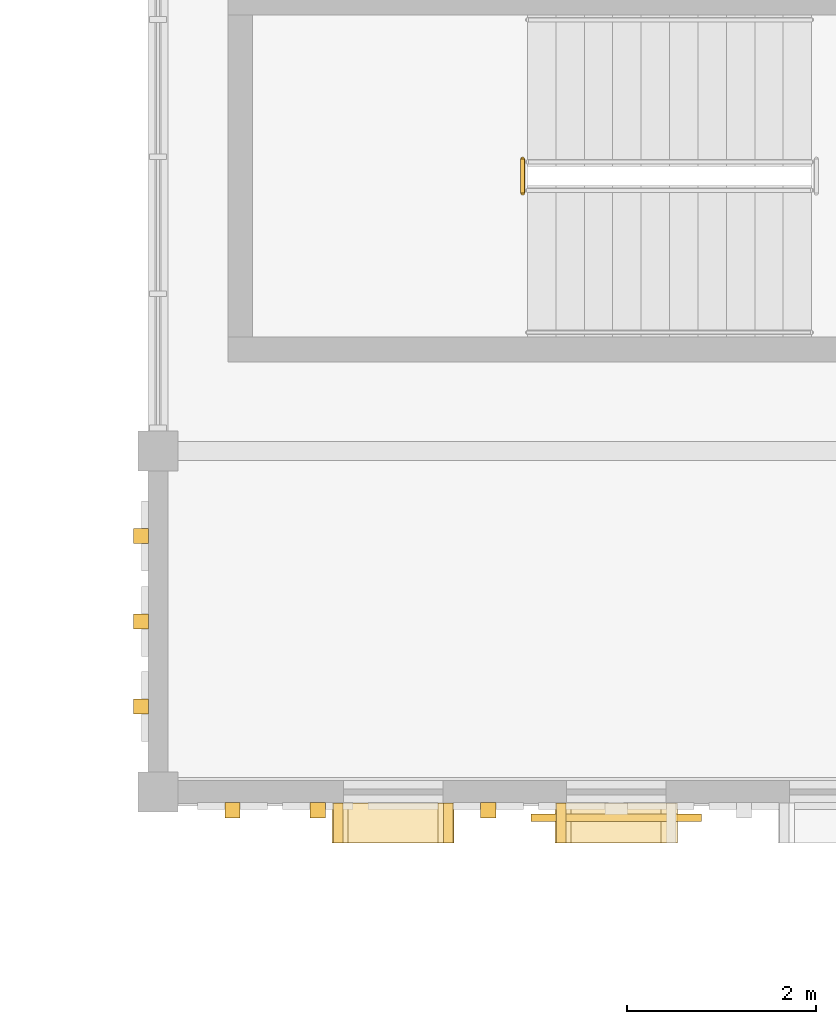
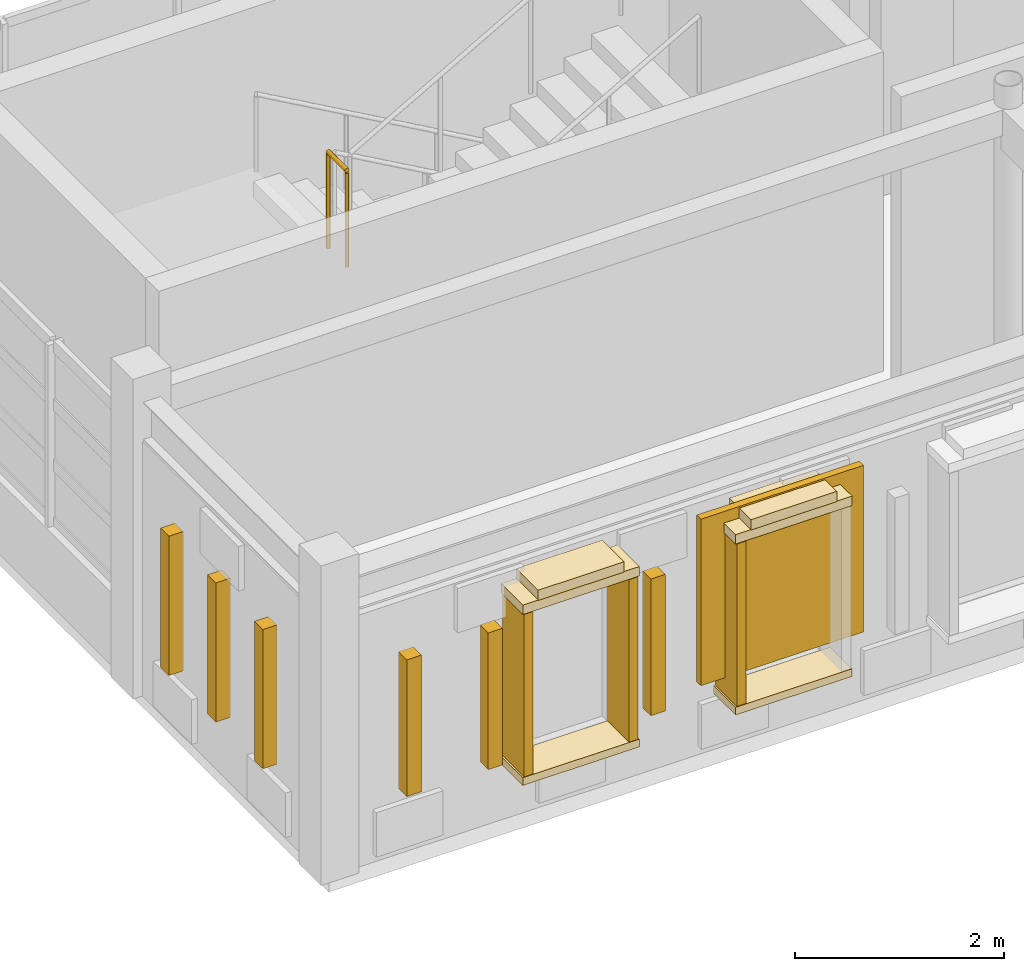
# One storey, part 38 of 46: 15 coverings, 1 railing, 1 shading device.
"""IFC4 building model written with IfcOpenShell, lengths in metres."""

from ifc_helpers import new_model, si_unit, direction, frame, origin, origin_2d, place, context, subcontext, project, spatial, rectangle, circle, extrude, material, layer, layer_set, type_object, element, save


model = new_model("IFC4")

# Units and contexts
model_context = context("Model", 3, precision=1e-05, world=origin(), true_north=direction((0.0, 1.0)))
body_context = subcontext(model_context, "Body", "Model", "MODEL_VIEW")
ifc_project = project(units=[si_unit("LENGTHUNIT", "METRE"), si_unit("AREAUNIT", "SQUARE_METRE"), si_unit("VOLUMEUNIT", "CUBIC_METRE"), si_unit("PLANEANGLEUNIT", "RADIAN"), si_unit("MASSUNIT", "GRAM", prefix="KILO")], contexts=[model_context])

# Site, building, storey
site_placement = place(None, origin())
site = spatial("IfcSite", under=ifc_project, at=site_placement, CompositionType="ELEMENT")
building_placement = place(site_placement, origin())
building = spatial("IfcBuilding", under=site, at=building_placement, Name="Nzembalo Square Collegiate School", CompositionType="ELEMENT")
storey_placement = place(building_placement, frame((0.0, 0.0, 17.340087890625)))
storey = spatial("IfcBuildingStorey", under=building, at=storey_placement, Name="L04", CompositionType="ELEMENT", Elevation=17.340087890625)

# Coverings
ifc_material_1 = material(Name="Glazed ochre ceramic lancet rib")
ifc_layer_1 = layer(ifc_material_1, 0.159912109375, Name="Glazed ochre ceramic lancet rib")
ifc_layer_set_1 = layer_set([ifc_layer_1], Name="Glazed ochre ceramic lancet rib")
covering_type_1 = type_object("IfcCoveringType", Name="CL02", PredefinedType="CLADDING", material=ifc_layer_set_1)
for number, where, z_axis, x_axis, name in (
    (1, (131.586669921875, 79.007568359375, 0.759765625), (0.0, 0.0, 1.0), (1.0, 0.0, 0.0), "Gothic ceramic rib CL02-X0246-0"),
    (2, (132.48681640625, 79.007568359375, 0.759765625), (0.0, 0.0, 1.0), (1.0, 0.0, 0.0), "Gothic ceramic rib CL02-X0246-1"),
    (3, (134.28662109375, 79.007568359375, 0.759765625), (0.0, 0.0, 1.0), (1.0, 0.0, 0.0), "Gothic ceramic rib CL02-X0246-3"),
):
    element("IfcCovering", number, at=place(storey_placement, frame(where, z_axis=z_axis, x_axis=x_axis)), inside=storey, type_object=covering_type_1, Name=name, PredefinedType="CLADDING", context=body_context, shape_type="SweptSolid", body=[
        extrude(rectangle(XDim=0.159912109375, YDim=0.159912109375, at=origin_2d()), origin(), (0.0, 0.0, 1.0), 1.59912109375),
    ])
for number, where, z_axis, x_axis, name in (
    (4, (130.62255859375, 80.10009765625, 0.760009765625), (0.0, 0.0, 1.0), (1.0, 0.0, 0.0), "Gothic ceramic rib CL02-Y0247-0"),
    (5, (130.62255859375, 81.0, 0.760009765625), (0.0, 0.0, 1.0), (1.0, 0.0, 0.0), "Gothic ceramic rib CL02-Y0247-1"),
    (6, (130.62255859375, 81.89990234375, 0.760009765625), (0.0, 0.0, 1.0), (1.0, 0.0, 0.0), "Gothic ceramic rib CL02-Y0247-2"),
):
    element("IfcCovering", number, at=place(storey_placement, frame(where, z_axis=z_axis, x_axis=x_axis)), inside=storey, type_object=covering_type_1, Name=name, PredefinedType="CLADDING", context=body_context, shape_type="SweptSolid", body=[
        extrude(rectangle(XDim=0.159912109375, YDim=0.159912109375, at=origin_2d()), origin(), (0.0, 0.0, 1.0), 1.62890625),
    ])
ifc_material_2 = material(Name="Glazed celadon ceramic window frame")
ifc_layer_2 = layer(ifc_material_2, 0.419921875, Name="Glazed celadon ceramic window frame")
ifc_layer_set_2 = layer_set([ifc_layer_2], Name="Glazed celadon ceramic window frame")
covering_type_2 = type_object("IfcCoveringType", Name="WF01", PredefinedType="CLADDING", material=ifc_layer_set_2)
covering_1_placement = place(storey_placement, frame((133.281982421875, 78.87255859375, 2.65478515625), z_axis=(0.0, 0.0, 1.0), x_axis=(1.0, 0.0, 0.0)))
element("IfcCovering", 7, at=covering_1_placement, inside=storey, type_object=covering_type_2, Name="Deep lancet window hood WF01-0826", PredefinedType="CLADDING", context=body_context, shape_type="SweptSolid", body=[
    extrude(rectangle(XDim=1.2900390625, YDim=0.419921875, at=origin_2d()), origin(), (0.0, 0.0, 1.0), 0.110107421875),
])
covering_2_placement = place(storey_placement, frame((133.281982421875, 78.87255859375, 2.759765625), z_axis=(0.0, 0.0, 1.0), x_axis=(1.0, 0.0, 0.0)))
element("IfcCovering", 8, at=covering_2_placement, inside=storey, type_object=covering_type_2, Name="Pointed lancet gable WF01-0826-1", PredefinedType="CLADDING", context=body_context, shape_type="SweptSolid", body=[
    extrude(rectangle(XDim=0.949951171875, YDim=0.419921875, at=origin_2d()), origin(), (0.0, 0.0, 1.0), 0.1201171875),
])
covering_3_placement = place(storey_placement, frame((133.281982421875, 78.87255859375, 0.65478515625), z_axis=(0.0, 0.0, 1.0), x_axis=(1.0, 0.0, 0.0)))
element("IfcCovering", 9, at=covering_3_placement, inside=storey, type_object=covering_type_2, Name="Deep lancet window sill WF01-0826", PredefinedType="CLADDING", context=body_context, shape_type="SweptSolid", body=[
    extrude(rectangle(XDim=1.2900390625, YDim=0.419921875, at=origin_2d()), origin(), (0.0, 0.0, 1.0), 0.090087890625),
])
for number, where, z_axis, x_axis, name in (
    (10, (132.701904296875, 78.87255859375, 0.75), (0.0, 0.0, 1.0), (1.0, 0.0, 0.0), "Deep lancet window jamb WF01-0826L"),
    (11, (133.86181640625, 78.87255859375, 0.75), (0.0, 0.0, 1.0), (1.0, 0.0, 0.0), "Deep lancet window jamb WF01-0826R"),
):
    element("IfcCovering", number, at=place(storey_placement, frame(where, z_axis=z_axis, x_axis=x_axis)), inside=storey, type_object=covering_type_2, Name=name, PredefinedType="CLADDING", context=body_context, shape_type="SweptSolid", body=[
        extrude(rectangle(XDim=0.10009765625, YDim=0.419921875, at=origin_2d()), origin(), (0.0, 0.0, 1.0), 1.89990234375),
    ])
covering_4_placement = place(storey_placement, frame((135.63671875, 78.87255859375, 2.65478515625), z_axis=(0.0, 0.0, 1.0), x_axis=(1.0, 0.0, 0.0)))
element("IfcCovering", 12, at=covering_4_placement, inside=storey, type_object=covering_type_2, Name="Deep lancet window hood WF01-0827", PredefinedType="CLADDING", context=body_context, shape_type="SweptSolid", body=[
    extrude(rectangle(XDim=1.2900390625, YDim=0.419921875, at=origin_2d()), origin(), (0.0, 0.0, 1.0), 0.110107421875),
])
covering_5_placement = place(storey_placement, frame((135.63671875, 78.87255859375, 2.759765625), z_axis=(0.0, 0.0, 1.0), x_axis=(1.0, 0.0, 0.0)))
element("IfcCovering", 13, at=covering_5_placement, inside=storey, type_object=covering_type_2, Name="Pointed lancet gable WF01-0827-1", PredefinedType="CLADDING", context=body_context, shape_type="SweptSolid", body=[
    extrude(rectangle(XDim=0.949951171875, YDim=0.419921875, at=origin_2d()), origin(), (0.0, 0.0, 1.0), 0.1201171875),
])
covering_6_placement = place(storey_placement, frame((135.63671875, 78.87255859375, 0.65478515625), z_axis=(0.0, 0.0, 1.0), x_axis=(1.0, 0.0, 0.0)))
element("IfcCovering", 14, at=covering_6_placement, inside=storey, type_object=covering_type_2, Name="Deep lancet window sill WF01-0827", PredefinedType="CLADDING", context=body_context, shape_type="SweptSolid", body=[
    extrude(rectangle(XDim=1.2900390625, YDim=0.419921875, at=origin_2d()), origin(), (0.0, 0.0, 1.0), 0.090087890625),
])
covering_7_placement = place(storey_placement, frame((135.056640625, 78.87255859375, 0.75), z_axis=(0.0, 0.0, 1.0), x_axis=(1.0, 0.0, 0.0)))
element("IfcCovering", 15, at=covering_7_placement, inside=storey, type_object=covering_type_2, Name="Deep lancet window jamb WF01-0827L", PredefinedType="CLADDING", context=body_context, shape_type="SweptSolid", body=[
    extrude(rectangle(XDim=0.10009765625, YDim=0.419921875, at=origin_2d()), origin(), (0.0, 0.0, 1.0), 1.89990234375),
])

# Railing
ifc_material_3 = material(Name="Steel S355", Category="steel")
railing_type = type_object("IfcRailingType", Name="GR01", PredefinedType="GUARDRAIL", material=ifc_material_3)
railing_placement = place(storey_placement, frame((134.64990234375, 85.52001953125, 1.864990234375)))
element("IfcRailing", 16, at=railing_placement, inside=storey, type_object=railing_type, Name="Stair guard GR-17-2", PredefinedType="GUARDRAIL", context=body_context, shape_type="SweptSolid", body=[
    extrude(circle(Radius=0.02392578125, at=origin_2d()), frame((0.0, 0.0, 1.1259765625), z_axis=(0.0, 1.0, 0.0), x_axis=(-1.0, 0.0, 0.0)), (0.0, 0.0, 1.0), 0.35986328125),
    extrude(circle(Radius=0.02099609375, at=origin_2d()), origin(), (0.0, 0.0, 1.0), 1.101806640625),
    extrude(circle(Radius=0.02099609375, at=origin_2d()), frame((0.0, 0.35986328125, 0.0)), (0.0, 0.0, 1.0), 1.101806640625),
])

# Shading device
ifc_material_4 = material(Name="Glazed celadon ceramic lancet screen")
ifc_layer_3 = layer(ifc_material_4, 0.080078125, Name="Glazed celadon ceramic lancet screen")
ifc_layer_set_3 = layer_set([ifc_layer_3], Name="Glazed celadon ceramic lancet screen")
shading_device_type = type_object("IfcShadingDeviceType", Name="SC02", PredefinedType="USERDEFINED", material=ifc_layer_set_3)
shading_device_placement = place(storey_placement, frame((135.63671875, 78.927490234375, 0.94970703125), z_axis=(0.0, 0.0, 1.0), x_axis=(1.0, 0.0, 0.0)))
element("IfcShadingDevice", 17, at=shading_device_placement, inside=storey, type_object=shading_device_type, Name="Ceramic lancet screen SC02-028", ObjectType="SCREEN", PredefinedType="USERDEFINED", context=body_context, shape_type="SweptSolid", body=[
    extrude(rectangle(XDim=1.800048828125, YDim=0.080078125, at=origin_2d()), origin(), (0.0, 0.0, 1.0), 1.948974609375),
])

save(model, "model.ifc")
